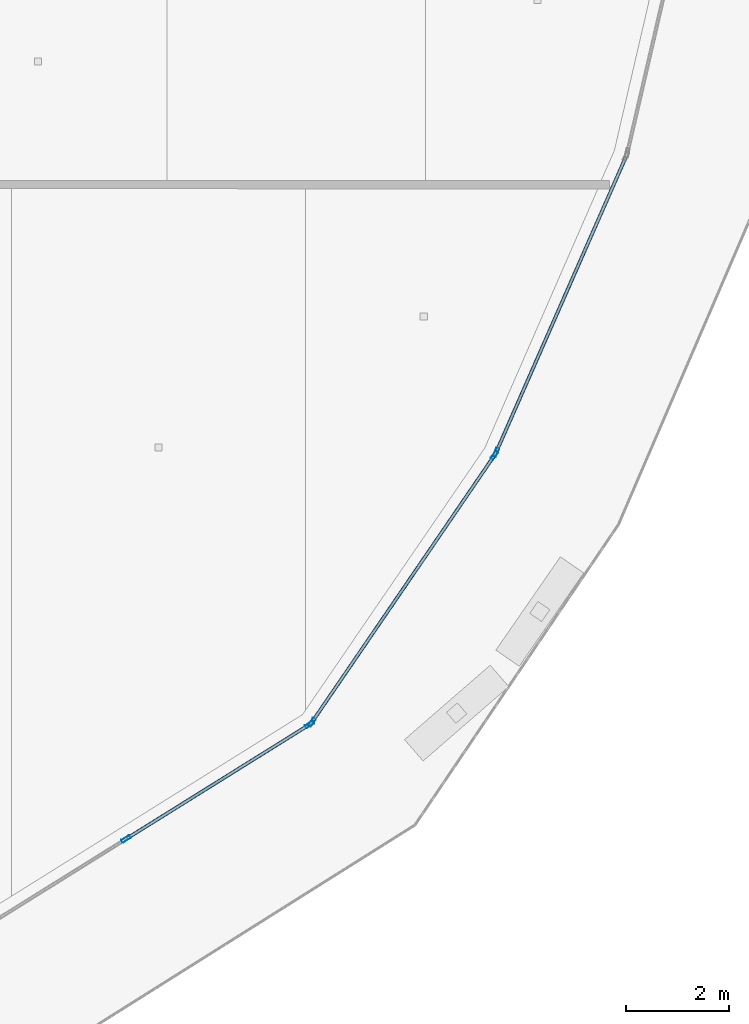
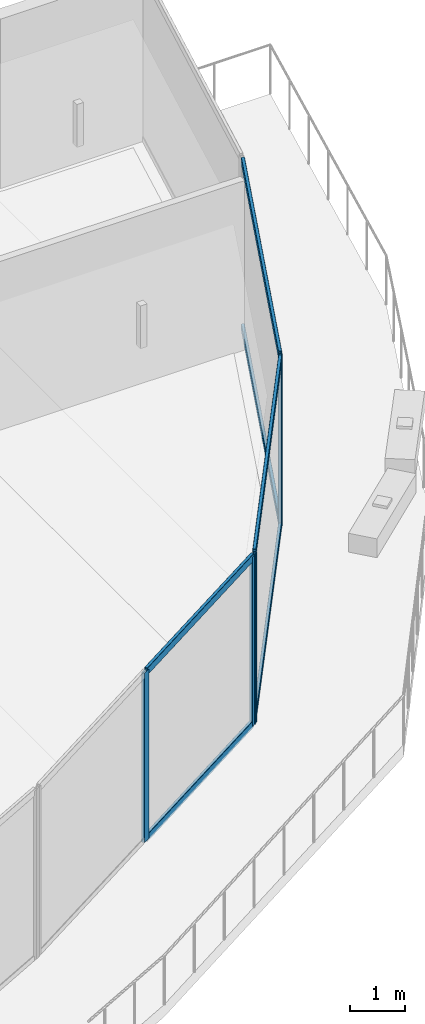
# One storey, part 10 of 37: 11 members, 3 elements without a shape of their own.
"""IFC4 building model written with IfcOpenShell, lengths in metres."""

import ifcopenshell
import ifcopenshell.guid

model = None  # the IFC model being written
_history = None  # IfcOwnerHistory: only IFC2X3 demands one
_inside = {}  # id of a spatial element -> (the spatial element, [elements in it])
_under = {}  # id of a project, library or spatial element -> (it, [spatial elements below it])
_declared = {}  # id of a project -> (the project, [libraries it declares])
_typed = {}  # id of a type object -> (the type object, [elements of that type])
_made_of = {}  # id of a material, layer set ... -> (it, [elements and type objects made of it])


def new_model(schema):
    """Start an empty IFC model of exactly this schema.

    Asked for "IFC4X3", IfcOpenShell would pick the latest addendum, in which some entities
    have other attributes; the version numbers below select the first issue.
    IFC2X3 requires an IfcOwnerHistory on every rooted entity: one is made here for all.
    """
    global model, _history
    if schema == "IFC4X3":
        model = ifcopenshell.file(schema_version=(4, 3, 0, 0))
    else:
        model = ifcopenshell.file(schema=schema)
    _inside.clear()
    _under.clear()
    _declared.clear()
    _typed.clear()
    _made_of.clear()
    _history = None
    if model.schema == "IFC2X3":
        org = make("IfcOrganization", Name="unknown")
        user = make(
            "IfcPersonAndOrganization",
            ThePerson=make("IfcPerson", FamilyName="unknown"),
            TheOrganization=org,
        )
        app = make(
            "IfcApplication",
            ApplicationDeveloper=org,
            Version="unknown",
            ApplicationFullName="unknown",
            ApplicationIdentifier="unknown",
        )
        _history = make(
            "IfcOwnerHistory",
            OwningUser=user,
            OwningApplication=app,
            ChangeAction="ADDED",
            CreationDate=0,
        )
    return model


def make(cls, **values):
    """One entity of the class cls with the attributes given. An attribute that is None is left unset."""
    return model.create_entity(
        cls, **{name: value for name, value in values.items() if value is not None}
    )


def rooted(cls, **values):
    """An entity with a GlobalId (a new one), such as an element, a storey or a relation."""
    return make(cls, GlobalId=ifcopenshell.guid.new(), OwnerHistory=_history, **values)


def si_unit(unit_type, name, prefix=None):
    """IfcSIUnit, for example si_unit("LENGTHUNIT", "METRE", prefix="MILLI")."""
    return make("IfcSIUnit", UnitType=unit_type, Prefix=prefix, Name=name)


def assignment(units):
    """IfcUnitAssignment: the units of a project."""
    return None if units is None else make("IfcUnitAssignment", Units=units)


def point(xyz):
    """IfcCartesianPoint."""
    return None if xyz is None else make("IfcCartesianPoint", Coordinates=xyz)


def direction(xyz):
    """IfcDirection."""
    return None if xyz is None else make("IfcDirection", DirectionRatios=xyz)


def frame(location, z_axis=None, x_axis=None):
    """IfcAxis2Placement3D, a coordinate frame: its origin and axes. An axis left out is left unset."""
    return make(
        "IfcAxis2Placement3D",
        Location=point(location),
        Axis=direction(z_axis),
        RefDirection=direction(x_axis),
    )


def frame_2d(location, x_axis=None):
    """IfcAxis2Placement2D, a coordinate frame in the plane: its origin and x axis."""
    return make(
        "IfcAxis2Placement2D", Location=point(location), RefDirection=direction(x_axis)
    )


def origin():
    """The frame at (0, 0, 0) with its axes left unset."""
    return frame((0.0, 0.0, 0.0))


def origin_2d():
    """The frame at (0, 0) in the plane with its x axis left unset."""
    return frame_2d((0.0, 0.0))


def place(relative_to, where):
    """IfcLocalPlacement: puts the frame where relative to a parent placement (None: the world)."""
    return make(
        "IfcLocalPlacement", PlacementRelTo=relative_to, RelativePlacement=where
    )


def context(
    kind, dimensions, precision=None, world=None, true_north=None, identifier=None
):
    """IfcGeometricRepresentationContext, for example the 3D "Model" context."""
    return make(
        "IfcGeometricRepresentationContext",
        ContextIdentifier=identifier,
        ContextType=kind,
        CoordinateSpaceDimension=dimensions,
        Precision=precision,
        WorldCoordinateSystem=world,
        TrueNorth=true_north,
    )


def subcontext(parent, identifier, kind, view, scale=None):
    """IfcGeometricRepresentationSubContext, for example "Body" below "Model"."""
    return make(
        "IfcGeometricRepresentationSubContext",
        ContextIdentifier=identifier,
        ContextType=kind,
        ParentContext=parent,
        TargetScale=scale,
        TargetView=view,
    )


def project(units=None, contexts=None):
    """IfcProject with its units and contexts."""
    return rooted(
        "IfcProject",
        Name="project",
        RepresentationContexts=contexts,
        UnitsInContext=assignment(units),
    )


def spatial(cls, under=None, at=None, **own):
    """A site, building, storey or space (cls), placed at a placement, below another one or the project."""
    s = rooted(cls, ObjectPlacement=at, **own)
    if under is not None:
        _under.setdefault(under.id(), (under, []))[1].append(s)
    return s


def profile(cls, at=None, kind="AREA", **sizes):
    """A parametric profile (cls). Its sizes go by their IFC names, for example OverallWidth=200.0."""
    return make(cls, ProfileType=kind, Position=at, **sizes)


def hollow_rectangle(**sizes):
    """IfcRectangleHollowProfileDef."""
    return profile("IfcRectangleHollowProfileDef", **sizes)


def extrude(swept, where, along, depth):
    """IfcExtrudedAreaSolid: the profile swept, set in the frame where, extruded along a direction by depth."""
    return make(
        "IfcExtrudedAreaSolid",
        SweptArea=swept,
        Position=where,
        ExtrudedDirection=direction(along),
        Depth=depth,
    )


def shape(context_of_items, identifier, shape_type, items):
    """IfcShapeRepresentation: the items that make up one representation, for example the "Body"."""
    return make(
        "IfcShapeRepresentation",
        ContextOfItems=context_of_items,
        RepresentationIdentifier=identifier,
        RepresentationType=shape_type,
        Items=items,
    )


def material(Name=None, Category=None):
    """IfcMaterial."""
    return make("IfcMaterial", Name=Name, Category=Category)


def layer(
    of_material, thickness, ventilated=None, Name=None, Category=None, Priority=None
):
    """IfcMaterialLayer: one layer of a wall or slab, of a material (None: an air gap)."""
    return make(
        "IfcMaterialLayer",
        Material=of_material,
        LayerThickness=thickness,
        IsVentilated=ventilated,
        Name=Name,
        Category=Category,
        Priority=Priority,
    )


def layer_set(layers, Name=None):
    """IfcMaterialLayerSet."""
    return make("IfcMaterialLayerSet", MaterialLayers=layers, LayerSetName=Name)


def material_profile(
    of_material, cross_section, Name=None, Category=None, Priority=None
):
    """IfcMaterialProfile: a cross section and its material."""
    return make(
        "IfcMaterialProfile",
        Name=Name,
        Material=of_material,
        Profile=cross_section,
        Priority=Priority,
        Category=Category,
    )


def profile_set(profiles, Name=None, composite=None):
    """IfcMaterialProfileSet."""
    return make(
        "IfcMaterialProfileSet",
        Name=Name,
        MaterialProfiles=profiles,
        CompositeProfile=composite,
    )


def made_of(thing, what):
    """Note that an element or type object is made of a material, layer set ...; save() writes the relation."""
    if what is not None:
        _made_of.setdefault(what.id(), (what, []))[1].append(thing)
    return thing


def type_object(cls, material=None, **own):
    """A type object (cls), such as IfcWallType, which elements share."""
    return made_of(rooted(cls, **own), material)


def element(
    cls,
    number,
    at=None,
    inside=None,
    cuts=None,
    type_object=None,
    material=None,
    context=None,
    identifier="Body",
    shape_type=None,
    held_by="IfcProductDefinitionShape",
    body=None,
    shapes=None,
    **own,
):
    """One element of the class cls, such as IfcWall. Its Tag is "e" and its number.

    at: its placement. inside: the storey or other place that contains it. cuts: it is an
    opening in that element (IfcRelVoidsElement). A single representation is given by context,
    identifier, shape_type and body (its items); several are given by shapes. held_by: the class
    of the entity that holds the representations. save() writes the other relations.
    """
    e = rooted(cls, Tag="e%d" % number, ObjectPlacement=at, **own)
    if body is not None:
        shapes = [shape(context, identifier, shape_type, body)]
    if shapes is not None:
        e.Representation = make(held_by, Representations=shapes)
    if inside is not None:
        _inside.setdefault(inside.id(), (inside, []))[1].append(e)
    if cuts is not None:
        rooted(
            "IfcRelVoidsElement", RelatingBuildingElement=cuts, RelatedOpeningElement=e
        )
    if type_object is not None:
        _typed.setdefault(type_object.id(), (type_object, []))[1].append(e)
    return made_of(e, material)


def aggregate(whole, parts):
    """IfcRelAggregates: a whole, such as a stair, and the parts it consists of."""
    return rooted("IfcRelAggregates", RelatingObject=whole, RelatedObjects=parts)


def save(model, path):
    """Write the relations noted so far, then the file.

    IfcRelAggregates (storeys below a building ...), IfcRelContainedInSpatialStructure (elements
    in a storey), IfcRelDefinesByType, IfcRelAssociatesMaterial and IfcRelDeclares: one each for
    every whole, place, type object, material and project.
    """
    for whole, parts in _under.values():
        aggregate(whole, parts)
    for where, things in _inside.values():
        rooted(
            "IfcRelContainedInSpatialStructure",
            RelatedElements=things,
            RelatingStructure=where,
        )
    for kind, things in _typed.values():
        rooted("IfcRelDefinesByType", RelatedObjects=things, RelatingType=kind)
    for what, things in _made_of.values():
        rooted("IfcRelAssociatesMaterial", RelatedObjects=things, RelatingMaterial=what)
    for by, libraries in _declared.values():
        rooted("IfcRelDeclares", RelatingContext=by, RelatedDefinitions=libraries)
    model.write(path)


model = new_model("IFC4")

# Units and contexts
model_context = context("Model", 3, precision=1e-05, world=origin(), true_north=direction((0.0, 1.0)))
body_context = subcontext(model_context, "Body", "Model", "MODEL_VIEW")
ifc_project = project(units=[si_unit("LENGTHUNIT", "METRE"), si_unit("AREAUNIT", "SQUARE_METRE"), si_unit("VOLUMEUNIT", "CUBIC_METRE"), si_unit("PLANEANGLEUNIT", "RADIAN"), si_unit("MASSUNIT", "GRAM", prefix="KILO")], contexts=[model_context])

# Site, building, storey
site_placement = place(None, origin())
site = spatial("IfcSite", under=ifc_project, at=site_placement, CompositionType="ELEMENT")
building_placement = place(site_placement, origin())
building = spatial("IfcBuilding", under=site, at=building_placement, Name="Qorvath Tower", CompositionType="ELEMENT")
storey_placement = place(building_placement, frame((0.0, 0.0, 184.800048828125)))
storey = spatial("IfcBuildingStorey", under=building, at=storey_placement, Name="L42", CompositionType="ELEMENT", Elevation=184.800048828125)

# Curtain wall, members
ifc_material_1 = material(Name="Anodised aluminium and triple low-E glass", Category="aluminium")
ifc_layer = layer(ifc_material_1, 0.179931640625)
ifc_layer_set = layer_set([ifc_layer], Name="CW-SYS-3")
curtain_wall_type = type_object("IfcCurtainWallType", Name="CW-SYS-3", PredefinedType="NOTDEFINED", material=ifc_layer_set)
curtain_wall_1_placement = place(storey_placement, origin())
curtain_wall_1 = element("IfcCurtainWall", 1, at=curtain_wall_1_placement, inside=storey, type_object=curtain_wall_type, Name="Curtain Wall CW-3 CW-T-L42-4.1", PredefinedType="NOTDEFINED")
ifc_material_2 = material(Name="Anodised aluminium 6063-T6", Category="aluminium")
ifc_material_profile_1 = material_profile(ifc_material_2, hollow_rectangle(XDim=0.06494140625, YDim=0.179931640625, WallThickness=0.00341796875, InnerFilletRadius=0.00341796875, OuterFilletRadius=0.007080078125, at=origin_2d()), Name="CWM 180x65")
ifc_profile_set_1 = profile_set([ifc_material_profile_1], Name="Anodised aluminium 6063-T6")
member_type_1 = type_object("IfcMemberType", Name="CWM-180", PredefinedType="MULLION", material=ifc_profile_set_1)
member_1_placement = place(storey_placement, frame((-8.923828125, -24.05322265625, 0.0), z_axis=(0.0, 0.0, 1.0), x_axis=(-0.529252450172, 0.848464403488, 0.0)))
member_1 = element("IfcMember", 2, at=member_1_placement, type_object=member_type_1, Name="CW-3 mullion 2", PredefinedType="MULLION", context=body_context, shape_type="SweptSolid", body=[
    extrude(hollow_rectangle(XDim=0.06494140625, YDim=0.179931640625, WallThickness=0.00341796875, InnerFilletRadius=0.00341796875, OuterFilletRadius=0.007080078125, at=origin_2d()), origin(), (0.0, 0.0, 1.0), 3.780029296875),
])
member_2_placement = place(storey_placement, frame((-5.359375, -21.82958984375, 0.0), z_axis=(0.0, 0.0, 1.0), x_axis=(-0.529252450172, 0.848464403488, 0.0)))
member_2 = element("IfcMember", 3, at=member_2_placement, type_object=member_type_1, Name="CW-3 mullion 3", PredefinedType="MULLION", context=body_context, shape_type="SweptSolid", body=[
    extrude(hollow_rectangle(XDim=0.06494140625, YDim=0.179931640625, WallThickness=0.00341796875, InnerFilletRadius=0.00341796875, OuterFilletRadius=0.007080078125, at=origin_2d()), origin(), (0.0, 0.0, 1.0), 3.780029296875),
])

curtain_wall_2_placement = place(storey_placement, origin())
curtain_wall_2 = element("IfcCurtainWall", 4, at=curtain_wall_2_placement, inside=storey, type_object=curtain_wall_type, Name="Curtain Wall CW-3 CW-T-L42-5.1", PredefinedType="NOTDEFINED")
member_3_placement = place(storey_placement, frame((-5.3134765625, -21.78564453125, 0.0), z_axis=(0.0, 0.0, 1.0), x_axis=(-0.825476698429, 0.564436196882, 0.0)))
member_3 = element("IfcMember", 5, at=member_3_placement, type_object=member_type_1, Name="CW-3 mullion 1", PredefinedType="MULLION", context=body_context, shape_type="SweptSolid", body=[
    extrude(hollow_rectangle(XDim=0.06494140625, YDim=0.179931640625, WallThickness=0.00341796875, InnerFilletRadius=0.00341796875, OuterFilletRadius=0.007080078125, at=origin_2d()), origin(), (0.0, 0.0, 1.0), 3.780029296875),
])
member_4_placement = place(storey_placement, frame((-1.77197265625, -16.6064453125, 0.0), z_axis=(0.0, 0.0, 1.0), x_axis=(-0.825476698429, 0.564436196882, 0.0)))
member_4 = element("IfcMember", 6, at=member_4_placement, type_object=member_type_1, Name="CW-3 mullion 2", PredefinedType="MULLION", context=body_context, shape_type="SweptSolid", body=[
    extrude(hollow_rectangle(XDim=0.06494140625, YDim=0.179931640625, WallThickness=0.00341796875, InnerFilletRadius=0.00341796875, OuterFilletRadius=0.007080078125, at=origin_2d()), origin(), (0.0, 0.0, 1.0), 3.780029296875),
])

# Curtain wall, member
curtain_wall_3_placement = place(storey_placement, origin())
curtain_wall_3 = element("IfcCurtainWall", 7, at=curtain_wall_3_placement, inside=storey, type_object=curtain_wall_type, Name="Curtain Wall CW-3 CW-T-L42-6.1", PredefinedType="NOTDEFINED")
member_5_placement = place(storey_placement, frame((-1.74072265625, -16.5498046875, 0.0), z_axis=(0.0, 0.0, 1.0), x_axis=(-0.915549117046, 0.402206183786, 0.0)))
member_5 = element("IfcMember", 8, at=member_5_placement, type_object=member_type_1, Name="CW-3 mullion 1", PredefinedType="MULLION", context=body_context, shape_type="SweptSolid", body=[
    extrude(hollow_rectangle(XDim=0.06494140625, YDim=0.179931640625, WallThickness=0.00341796875, InnerFilletRadius=0.00341796875, OuterFilletRadius=0.007080078125, at=origin_2d()), origin(), (0.0, 0.0, 1.0), 3.780029296875),
])

# Member
ifc_material_3 = material(Name="Anodised aluminium 6063-T6", Category="aluminium")
ifc_material_profile_2 = material_profile(ifc_material_3, hollow_rectangle(XDim=0.06494140625, YDim=0.159912109375, WallThickness=0.00341796875, InnerFilletRadius=0.00341796875, OuterFilletRadius=0.007080078125, at=origin_2d()), Name="CWT 160x65")
ifc_profile_set_2 = profile_set([ifc_material_profile_2], Name="Anodised aluminium 6063-T6")
member_type_2 = type_object("IfcMemberType", Name="CWT-160", PredefinedType="USERDEFINED", material=ifc_profile_set_2)
member_6_placement = place(storey_placement, frame((-8.896484375, -24.035888671875, 0.032470703125), z_axis=(0.848485399586, 0.529218789056, 0.0), x_axis=(-0.529218789056, 0.848485399586, 0.0)))
member_6 = element("IfcMember", 9, at=member_6_placement, type_object=member_type_2, Name="CW-3 transom 2.1", ObjectType="TRANSOM", PredefinedType="USERDEFINED", context=body_context, shape_type="SweptSolid", body=[
    extrude(hollow_rectangle(XDim=0.06494140625, YDim=0.159912109375, WallThickness=0.00341796875, InnerFilletRadius=0.00341796875, OuterFilletRadius=0.007080078125, at=origin_2d()), origin(), (0.0, 0.0, 1.0), 4.13623046875),
])

member_7_placement = place(storey_placement, frame((-8.896484375, -24.035888671875, 3.74755859375), z_axis=(0.848485399586, 0.529218789056, 0.0), x_axis=(-0.529218789056, 0.848485399586, 0.0)))
member_7 = element("IfcMember", 10, at=member_7_placement, type_object=member_type_2, Name="CW-3 transom 2.2", ObjectType="TRANSOM", PredefinedType="USERDEFINED", context=body_context, shape_type="SweptSolid", body=[
    extrude(hollow_rectangle(XDim=0.06494140625, YDim=0.159912109375, WallThickness=0.00341796875, InnerFilletRadius=0.00341796875, OuterFilletRadius=0.007080078125, at=origin_2d()), origin(), (0.0, 0.0, 1.0), 4.13623046875),
])

aggregate(curtain_wall_1, [member_1, member_2, member_6, member_7])

member_8_placement = place(storey_placement, frame((-5.295166015625, -21.7587890625, 0.032470703125), z_axis=(0.564461187219, 0.825459610231, 0.0), x_axis=(-0.825459610231, 0.564461187219, 0.0)))
member_8 = element("IfcMember", 11, at=member_8_placement, type_object=member_type_2, Name="CW-3 transom 1.1", ObjectType="TRANSOM", PredefinedType="USERDEFINED", context=body_context, shape_type="SweptSolid", body=[
    extrude(hollow_rectangle(XDim=0.06494140625, YDim=0.159912109375, WallThickness=0.00341796875, InnerFilletRadius=0.00341796875, OuterFilletRadius=0.007080078125, at=origin_2d()), origin(), (0.0, 0.0, 1.0), 6.209228515625),
])

member_9_placement = place(storey_placement, frame((-5.295166015625, -21.7587890625, 3.74755859375), z_axis=(0.564461187219, 0.825459610231, 0.0), x_axis=(-0.825459610231, 0.564461187219, 0.0)))
member_9 = element("IfcMember", 12, at=member_9_placement, type_object=member_type_2, Name="CW-3 transom 1.2", ObjectType="TRANSOM", PredefinedType="USERDEFINED", context=body_context, shape_type="SweptSolid", body=[
    extrude(hollow_rectangle(XDim=0.06494140625, YDim=0.159912109375, WallThickness=0.00341796875, InnerFilletRadius=0.00341796875, OuterFilletRadius=0.007080078125, at=origin_2d()), origin(), (0.0, 0.0, 1.0), 6.209228515625),
])

aggregate(curtain_wall_2, [member_3, member_4, member_8, member_9])

member_10_placement = place(storey_placement, frame((-1.7275390625, -16.52001953125, 0.032470703125), z_axis=(0.402212776663, 0.915546220728, 0.0), x_axis=(-0.915546220728, 0.402212776663, 0.0)))
member_10 = element("IfcMember", 13, at=member_10_placement, type_object=member_type_2, Name="CW-3 transom 1.1", ObjectType="TRANSOM", PredefinedType="USERDEFINED", context=body_context, shape_type="SweptSolid", body=[
    extrude(hollow_rectangle(XDim=0.06494140625, YDim=0.159912109375, WallThickness=0.00341796875, InnerFilletRadius=0.00341796875, OuterFilletRadius=0.007080078125, at=origin_2d()), origin(), (0.0, 0.0, 1.0), 6.208984375),
])

member_11_placement = place(storey_placement, frame((-1.7275390625, -16.52001953125, 3.74755859375), z_axis=(0.402212776663, 0.915546220728, 0.0), x_axis=(-0.915546220728, 0.402212776663, 0.0)))
member_11 = element("IfcMember", 14, at=member_11_placement, type_object=member_type_2, Name="CW-3 transom 1.2", ObjectType="TRANSOM", PredefinedType="USERDEFINED", context=body_context, shape_type="SweptSolid", body=[
    extrude(hollow_rectangle(XDim=0.06494140625, YDim=0.159912109375, WallThickness=0.00341796875, InnerFilletRadius=0.00341796875, OuterFilletRadius=0.007080078125, at=origin_2d()), origin(), (0.0, 0.0, 1.0), 6.208984375),
])

aggregate(curtain_wall_3, [member_5, member_10, member_11])

save(model, "model.ifc")
